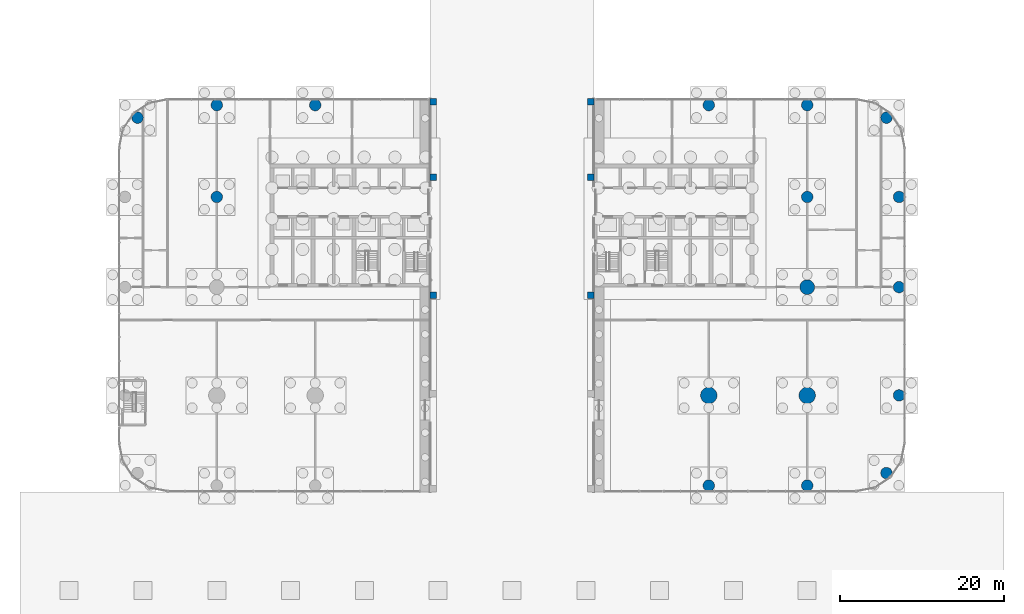
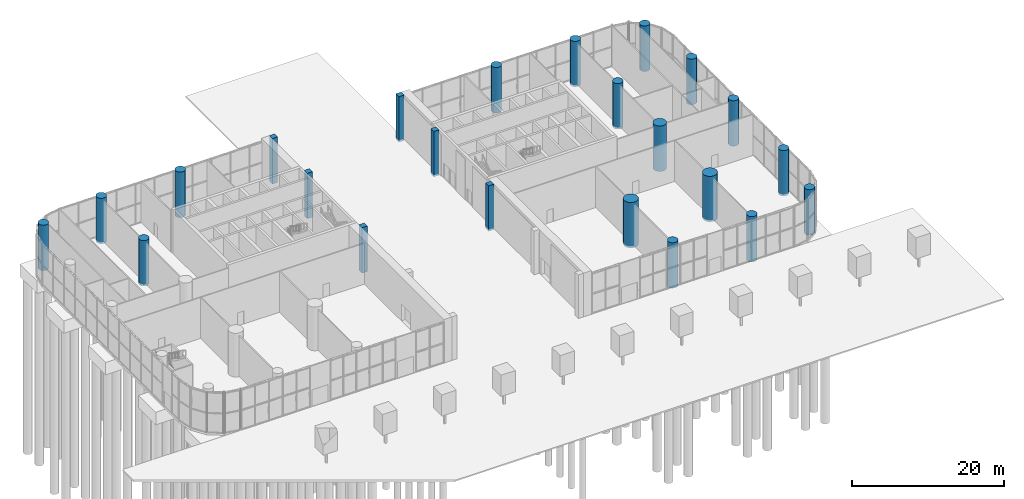
# One storey, part 4 of 26: 23 columns.
"""IFC4 building model written with IfcOpenShell, lengths in metres."""

from ifc_helpers import new_model, si_unit, direction, frame, origin, origin_2d, place, context, subcontext, project, spatial, rectangle, circle, extrude, material, material_profile, profile_set, type_object, element, save


model = new_model("IFC4")

# Units and contexts
model_context = context("Model", 3, precision=1e-05, world=origin(), true_north=direction((0.0, 1.0)))
body_context = subcontext(model_context, "Body", "Model", "MODEL_VIEW")
ifc_project = project(units=[si_unit("LENGTHUNIT", "METRE"), si_unit("AREAUNIT", "SQUARE_METRE"), si_unit("VOLUMEUNIT", "CUBIC_METRE"), si_unit("PLANEANGLEUNIT", "RADIAN"), si_unit("MASSUNIT", "GRAM", prefix="KILO")], contexts=[model_context])

# Site, building, storey
site_placement = place(None, origin())
site = spatial("IfcSite", under=ifc_project, at=site_placement, CompositionType="ELEMENT")
building_placement = place(site_placement, origin())
building = spatial("IfcBuilding", under=site, at=building_placement, Name="Torana Hotel and Residences", CompositionType="ELEMENT")
storey_placement = place(building_placement, origin())
storey = spatial("IfcBuildingStorey", under=building, at=storey_placement, Name="L00", CompositionType="ELEMENT", Elevation=0.0)

# Columns
ifc_material_1 = material(Name="Concrete C60/75", Category="concrete")
ifc_material_profile_1 = material_profile(ifc_material_1, rectangle(XDim=0.800048828125, YDim=0.800048828125, at=origin_2d()), Name="RC 800x800")
ifc_profile_set_1 = profile_set([ifc_material_profile_1], Name="Concrete C60/75")
column_type_1 = type_object("IfcColumnType", Name="ARCH PIER RC 800x800 C60/75", PredefinedType="COLUMN", material=ifc_profile_set_1)
for number, where, z_axis, x_axis, name in (
    (1, (-9.60009765625, -16.0, -0.300048828125), (0.0, 0.0, 1.0), (1.0, 0.0, 0.0), "Arch pier L00"),
    (2, (9.60009765625, -16.0, -0.300048828125), (0.0, 0.0, 1.0), (1.0, 0.0, 0.0), "Arch pier L00"),
    (3, (-9.60009765625, -1.60009765625, -0.300048828125), (0.0, 0.0, 1.0), (1.0, 0.0, 0.0), "Arch pier L00"),
    (4, (9.60009765625, -1.60009765625, -0.300048828125), (0.0, 0.0, 1.0), (1.0, 0.0, 0.0), "Arch pier L00"),
    (5, (-9.60009765625, 7.60009765625, -0.300048828125), (0.0, 0.0, 1.0), (1.0, 0.0, 0.0), "Arch pier L00"),
    (6, (9.60009765625, 7.60009765625, -0.300048828125), (0.0, 0.0, 1.0), (1.0, 0.0, 0.0), "Arch pier L00"),
):
    element("IfcColumn", number, at=place(storey_placement, frame(where, z_axis=z_axis, x_axis=x_axis)), inside=storey, type_object=column_type_1, Name=name, PredefinedType="COLUMN", context=body_context, shape_type="SweptSolid", body=[
        extrude(rectangle(XDim=0.800048828125, YDim=0.800048828125, at=origin_2d()), origin(), (0.0, 0.0, 1.0), 7.300048828125),
    ])
ifc_material_2 = material(Name="Concrete C70/85", Category="concrete")
ifc_material_profile_2 = material_profile(ifc_material_2, circle(Radius=0.699951171875, at=origin_2d()), Name="RCD 1400")
ifc_profile_set_2 = profile_set([ifc_material_profile_2], Name="Concrete C70/85")
column_type_2 = type_object("IfcColumnType", Name="COLUMN RCD 1400 C70/85", PredefinedType="COLUMN", material=ifc_profile_set_2)
for number, where, z_axis, x_axis, name in (
    (7, (-45.666015625, 5.666015625, -0.300048828125), (0.0, 0.0, 1.0), (1.0, 0.0, 0.0), "Column L00"),
    (8, (-36.0, -4.0, -0.300048828125), (0.0, 0.0, 1.0), (1.0, 0.0, 0.0), "Column L00"),
    (9, (-36.0, 7.199951171875, -0.300048828125), (0.0, 0.0, 1.0), (1.0, 0.0, 0.0), "Column L00"),
    (10, (-24.0, 7.199951171875, -0.300048828125), (0.0, 0.0, 1.0), (1.0, 0.0, 0.0), "Column L00"),
    (11, (24.0, -39.199951171875, -0.300048828125), (0.0, 0.0, 1.0), (1.0, 0.0, 0.0), "Column L00"),
    (12, (24.0, 7.199951171875, -0.300048828125), (0.0, 0.0, 1.0), (1.0, 0.0, 0.0), "Column L00"),
    (13, (36.0, -39.199951171875, -0.300048828125), (0.0, 0.0, 1.0), (1.0, 0.0, 0.0), "Column L00"),
    (14, (36.0, -4.0, -0.300048828125), (0.0, 0.0, 1.0), (1.0, 0.0, 0.0), "Column L00"),
    (15, (36.0, 7.199951171875, -0.300048828125), (0.0, 0.0, 1.0), (1.0, 0.0, 0.0), "Column L00"),
    (16, (45.666015625, -37.666015625, -0.300048828125), (0.0, 0.0, 1.0), (1.0, 0.0, 0.0), "Column L00"),
    (17, (45.666015625, 5.666015625, -0.300048828125), (0.0, 0.0, 1.0), (1.0, 0.0, 0.0), "Column L00"),
    (18, (47.199951171875, -28.199951171875, -0.300048828125), (0.0, 0.0, 1.0), (1.0, 0.0, 0.0), "Column L00"),
    (19, (47.199951171875, -15.0, -0.300048828125), (0.0, 0.0, 1.0), (1.0, 0.0, 0.0), "Column L00"),
    (20, (47.199951171875, -4.0, -0.300048828125), (0.0, 0.0, 1.0), (1.0, 0.0, 0.0), "Column L00"),
):
    element("IfcColumn", number, at=place(storey_placement, frame(where, z_axis=z_axis, x_axis=x_axis)), inside=storey, type_object=column_type_2, Name=name, PredefinedType="COLUMN", context=body_context, shape_type="SweptSolid", body=[
        extrude(circle(Radius=0.699951171875, at=origin_2d()), origin(), (0.0, 0.0, 1.0), 7.300048828125),
    ])
ifc_material_3 = material(Name="Concrete C70/85", Category="concrete")
ifc_material_profile_3 = material_profile(ifc_material_3, circle(Radius=0.89990234375, at=origin_2d()), Name="RCD 1800")
ifc_profile_set_3 = profile_set([ifc_material_profile_3], Name="Concrete C70/85")
column_type_3 = type_object("IfcColumnType", Name="COLUMN RCD 1800 C70/85", PredefinedType="COLUMN", material=ifc_profile_set_3)
column_placement = place(storey_placement, frame((36.0, -15.0, -0.300048828125), z_axis=(0.0, 0.0, 1.0), x_axis=(1.0, 0.0, 0.0)))
element("IfcColumn", 21, at=column_placement, inside=storey, type_object=column_type_3, Name="Column L00", PredefinedType="COLUMN", context=body_context, shape_type="SweptSolid", body=[
    extrude(circle(Radius=0.89990234375, at=origin_2d()), origin(), (0.0, 0.0, 1.0), 7.300048828125),
])
ifc_material_4 = material(Name="Concrete C70/85", Category="concrete")
ifc_material_profile_4 = material_profile(ifc_material_4, circle(Radius=1.0, at=origin_2d()), Name="RCD 2000")
ifc_profile_set_4 = profile_set([ifc_material_profile_4], Name="Concrete C70/85")
column_type_4 = type_object("IfcColumnType", Name="COLUMN RCD 2000 C70/85", PredefinedType="COLUMN", material=ifc_profile_set_4)
for number, where, z_axis, x_axis, name in (
    (22, (24.0, -28.199951171875, -0.300048828125), (0.0, 0.0, 1.0), (1.0, 0.0, 0.0), "Column L00"),
    (23, (36.0, -28.199951171875, -0.300048828125), (0.0, 0.0, 1.0), (1.0, 0.0, 0.0), "Column L00"),
):
    element("IfcColumn", number, at=place(storey_placement, frame(where, z_axis=z_axis, x_axis=x_axis)), inside=storey, type_object=column_type_4, Name=name, PredefinedType="COLUMN", context=body_context, shape_type="SweptSolid", body=[
        extrude(circle(Radius=1.0, at=origin_2d()), origin(), (0.0, 0.0, 1.0), 7.300048828125),
    ])

save(model, "model.ifc")
